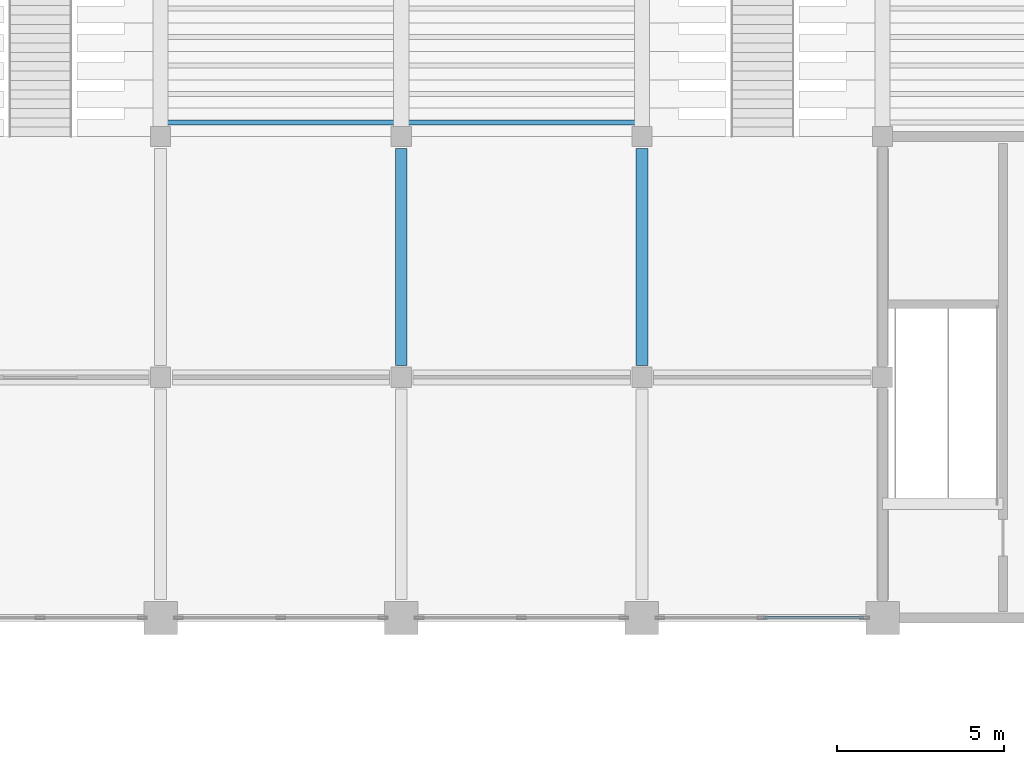
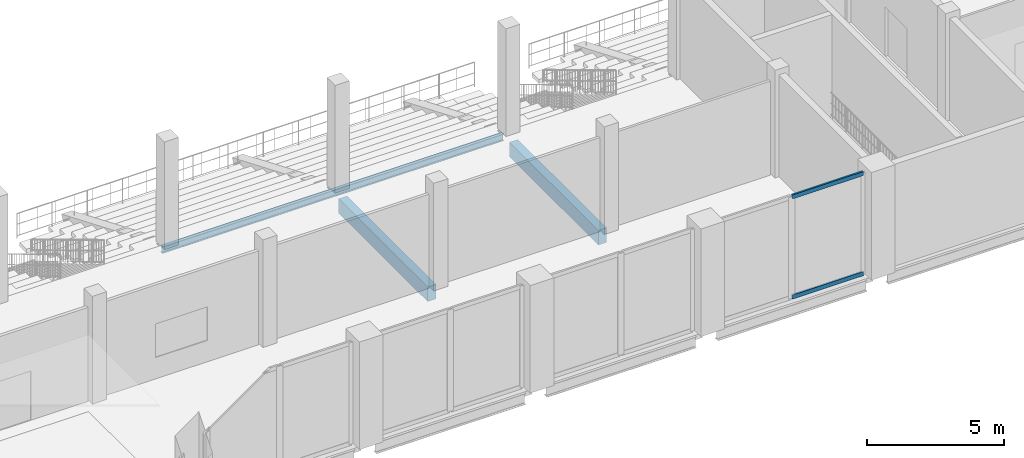
# One storey, part 10 of 99: 3 beams, 2 members, 1 element without a shape of its own.
"""IFC4 building model written with IfcOpenShell, lengths in metres."""

import ifcopenshell
import ifcopenshell.guid

model = None  # the IFC model being written
_history = None  # IfcOwnerHistory: only IFC2X3 demands one
_inside = {}  # id of a spatial element -> (the spatial element, [elements in it])
_under = {}  # id of a project, library or spatial element -> (it, [spatial elements below it])
_declared = {}  # id of a project -> (the project, [libraries it declares])
_typed = {}  # id of a type object -> (the type object, [elements of that type])
_made_of = {}  # id of a material, layer set ... -> (it, [elements and type objects made of it])


def new_model(schema):
    """Start an empty IFC model of exactly this schema.

    Asked for "IFC4X3", IfcOpenShell would pick the latest addendum, in which some entities
    have other attributes; the version numbers below select the first issue.
    IFC2X3 requires an IfcOwnerHistory on every rooted entity: one is made here for all.
    """
    global model, _history
    if schema == "IFC4X3":
        model = ifcopenshell.file(schema_version=(4, 3, 0, 0))
    else:
        model = ifcopenshell.file(schema=schema)
    _inside.clear()
    _under.clear()
    _declared.clear()
    _typed.clear()
    _made_of.clear()
    _history = None
    if model.schema == "IFC2X3":
        org = make("IfcOrganization", Name="unknown")
        user = make(
            "IfcPersonAndOrganization",
            ThePerson=make("IfcPerson", FamilyName="unknown"),
            TheOrganization=org,
        )
        app = make(
            "IfcApplication",
            ApplicationDeveloper=org,
            Version="unknown",
            ApplicationFullName="unknown",
            ApplicationIdentifier="unknown",
        )
        _history = make(
            "IfcOwnerHistory",
            OwningUser=user,
            OwningApplication=app,
            ChangeAction="ADDED",
            CreationDate=0,
        )
    return model


def make(cls, **values):
    """One entity of the class cls with the attributes given. An attribute that is None is left unset."""
    return model.create_entity(
        cls, **{name: value for name, value in values.items() if value is not None}
    )


def rooted(cls, **values):
    """An entity with a GlobalId (a new one), such as an element, a storey or a relation."""
    return make(cls, GlobalId=ifcopenshell.guid.new(), OwnerHistory=_history, **values)


def si_unit(unit_type, name, prefix=None):
    """IfcSIUnit, for example si_unit("LENGTHUNIT", "METRE", prefix="MILLI")."""
    return make("IfcSIUnit", UnitType=unit_type, Prefix=prefix, Name=name)


def assignment(units):
    """IfcUnitAssignment: the units of a project."""
    return None if units is None else make("IfcUnitAssignment", Units=units)


def point(xyz):
    """IfcCartesianPoint."""
    return None if xyz is None else make("IfcCartesianPoint", Coordinates=xyz)


def direction(xyz):
    """IfcDirection."""
    return None if xyz is None else make("IfcDirection", DirectionRatios=xyz)


def frame(location, z_axis=None, x_axis=None):
    """IfcAxis2Placement3D, a coordinate frame: its origin and axes. An axis left out is left unset."""
    return make(
        "IfcAxis2Placement3D",
        Location=point(location),
        Axis=direction(z_axis),
        RefDirection=direction(x_axis),
    )


def frame_2d(location, x_axis=None):
    """IfcAxis2Placement2D, a coordinate frame in the plane: its origin and x axis."""
    return make(
        "IfcAxis2Placement2D", Location=point(location), RefDirection=direction(x_axis)
    )


def origin():
    """The frame at (0, 0, 0) with its axes left unset."""
    return frame((0.0, 0.0, 0.0))


def origin_2d():
    """The frame at (0, 0) in the plane with its x axis left unset."""
    return frame_2d((0.0, 0.0))


def place(relative_to, where):
    """IfcLocalPlacement: puts the frame where relative to a parent placement (None: the world)."""
    return make(
        "IfcLocalPlacement", PlacementRelTo=relative_to, RelativePlacement=where
    )


def context(
    kind, dimensions, precision=None, world=None, true_north=None, identifier=None
):
    """IfcGeometricRepresentationContext, for example the 3D "Model" context."""
    return make(
        "IfcGeometricRepresentationContext",
        ContextIdentifier=identifier,
        ContextType=kind,
        CoordinateSpaceDimension=dimensions,
        Precision=precision,
        WorldCoordinateSystem=world,
        TrueNorth=true_north,
    )


def subcontext(parent, identifier, kind, view, scale=None):
    """IfcGeometricRepresentationSubContext, for example "Body" below "Model"."""
    return make(
        "IfcGeometricRepresentationSubContext",
        ContextIdentifier=identifier,
        ContextType=kind,
        ParentContext=parent,
        TargetScale=scale,
        TargetView=view,
    )


def project(units=None, contexts=None):
    """IfcProject with its units and contexts."""
    return rooted(
        "IfcProject",
        Name="project",
        RepresentationContexts=contexts,
        UnitsInContext=assignment(units),
    )


def spatial(cls, under=None, at=None, **own):
    """A site, building, storey or space (cls), placed at a placement, below another one or the project."""
    s = rooted(cls, ObjectPlacement=at, **own)
    if under is not None:
        _under.setdefault(under.id(), (under, []))[1].append(s)
    return s


def profile(cls, at=None, kind="AREA", **sizes):
    """A parametric profile (cls). Its sizes go by their IFC names, for example OverallWidth=200.0."""
    return make(cls, ProfileType=kind, Position=at, **sizes)


def rectangle(**sizes):
    """IfcRectangleProfileDef."""
    return profile("IfcRectangleProfileDef", **sizes)


def hollow_rectangle(**sizes):
    """IfcRectangleHollowProfileDef."""
    return profile("IfcRectangleHollowProfileDef", **sizes)


def i_section(**sizes):
    """IfcIShapeProfileDef."""
    return profile("IfcIShapeProfileDef", **sizes)


def extrude(swept, where, along, depth):
    """IfcExtrudedAreaSolid: the profile swept, set in the frame where, extruded along a direction by depth."""
    return make(
        "IfcExtrudedAreaSolid",
        SweptArea=swept,
        Position=where,
        ExtrudedDirection=direction(along),
        Depth=depth,
    )


def shape(context_of_items, identifier, shape_type, items):
    """IfcShapeRepresentation: the items that make up one representation, for example the "Body"."""
    return make(
        "IfcShapeRepresentation",
        ContextOfItems=context_of_items,
        RepresentationIdentifier=identifier,
        RepresentationType=shape_type,
        Items=items,
    )


def material(Name=None, Category=None):
    """IfcMaterial."""
    return make("IfcMaterial", Name=Name, Category=Category)


def material_profile(
    of_material, cross_section, Name=None, Category=None, Priority=None
):
    """IfcMaterialProfile: a cross section and its material."""
    return make(
        "IfcMaterialProfile",
        Name=Name,
        Material=of_material,
        Profile=cross_section,
        Priority=Priority,
        Category=Category,
    )


def profile_set(profiles, Name=None, composite=None):
    """IfcMaterialProfileSet."""
    return make(
        "IfcMaterialProfileSet",
        Name=Name,
        MaterialProfiles=profiles,
        CompositeProfile=composite,
    )


def made_of(thing, what):
    """Note that an element or type object is made of a material, layer set ...; save() writes the relation."""
    if what is not None:
        _made_of.setdefault(what.id(), (what, []))[1].append(thing)
    return thing


def type_object(cls, material=None, **own):
    """A type object (cls), such as IfcWallType, which elements share."""
    return made_of(rooted(cls, **own), material)


def element(
    cls,
    number,
    at=None,
    inside=None,
    cuts=None,
    type_object=None,
    material=None,
    context=None,
    identifier="Body",
    shape_type=None,
    held_by="IfcProductDefinitionShape",
    body=None,
    shapes=None,
    **own,
):
    """One element of the class cls, such as IfcWall. Its Tag is "e" and its number.

    at: its placement. inside: the storey or other place that contains it. cuts: it is an
    opening in that element (IfcRelVoidsElement). A single representation is given by context,
    identifier, shape_type and body (its items); several are given by shapes. held_by: the class
    of the entity that holds the representations. save() writes the other relations.
    """
    e = rooted(cls, Tag="e%d" % number, ObjectPlacement=at, **own)
    if body is not None:
        shapes = [shape(context, identifier, shape_type, body)]
    if shapes is not None:
        e.Representation = make(held_by, Representations=shapes)
    if inside is not None:
        _inside.setdefault(inside.id(), (inside, []))[1].append(e)
    if cuts is not None:
        rooted(
            "IfcRelVoidsElement", RelatingBuildingElement=cuts, RelatedOpeningElement=e
        )
    if type_object is not None:
        _typed.setdefault(type_object.id(), (type_object, []))[1].append(e)
    return made_of(e, material)


def aggregate(whole, parts):
    """IfcRelAggregates: a whole, such as a stair, and the parts it consists of."""
    return rooted("IfcRelAggregates", RelatingObject=whole, RelatedObjects=parts)


def save(model, path):
    """Write the relations noted so far, then the file.

    IfcRelAggregates (storeys below a building ...), IfcRelContainedInSpatialStructure (elements
    in a storey), IfcRelDefinesByType, IfcRelAssociatesMaterial and IfcRelDeclares: one each for
    every whole, place, type object, material and project.
    """
    for whole, parts in _under.values():
        aggregate(whole, parts)
    for where, things in _inside.values():
        rooted(
            "IfcRelContainedInSpatialStructure",
            RelatedElements=things,
            RelatingStructure=where,
        )
    for kind, things in _typed.values():
        rooted("IfcRelDefinesByType", RelatedObjects=things, RelatingType=kind)
    for what, things in _made_of.values():
        rooted("IfcRelAssociatesMaterial", RelatedObjects=things, RelatingMaterial=what)
    for by, libraries in _declared.values():
        rooted("IfcRelDeclares", RelatingContext=by, RelatedDefinitions=libraries)
    model.write(path)


model = new_model("IFC4")

# Units and contexts
model_context = context("Model", 3, precision=1e-05, world=origin(), true_north=direction((0.0, 1.0)))
body_context = subcontext(model_context, "Body", "Model", "MODEL_VIEW")
ifc_project = project(units=[si_unit("LENGTHUNIT", "METRE"), si_unit("AREAUNIT", "SQUARE_METRE"), si_unit("VOLUMEUNIT", "CUBIC_METRE"), si_unit("PLANEANGLEUNIT", "RADIAN"), si_unit("MASSUNIT", "GRAM", prefix="KILO")], contexts=[model_context])

# Site, building, storey
site_placement = place(None, origin())
site = spatial("IfcSite", under=ifc_project, at=site_placement, CompositionType="ELEMENT")
building_placement = place(site_placement, origin())
building = spatial("IfcBuilding", under=site, at=building_placement, Name="Vesperath Aquatics Centre", CompositionType="ELEMENT")
storey_placement = place(building_placement, frame((0.0, 0.0, 5.39990234375)))
storey = spatial("IfcBuildingStorey", under=building, at=storey_placement, Name="L01", CompositionType="ELEMENT", Elevation=5.39990234375)

# Beams
ifc_material_1 = material(Name="Concrete C35", Category="concrete")
ifc_material_profile_1 = material_profile(ifc_material_1, rectangle(XDim=0.35009765625, YDim=0.64990234375, at=origin_2d()), Name="RC 350x650")
ifc_profile_set_1 = profile_set([ifc_material_profile_1], Name="Concrete C35")
beam_type_1 = type_object("IfcBeamType", Name="BM-G05", PredefinedType="BEAM", material=ifc_profile_set_1)
for number, where, z_axis, x_axis, name in (
    (1, (36.0, 21.949951171875, -0.5849609375), (0.0, 1.0, 0.0), (-1.0, 0.0, 0.0), "Floor Girder B05 L01 6 D-E"),
    (2, (43.199951171875, 21.949951171875, -0.5849609375), (0.0, 1.0, 0.0), (-1.0, 0.0, 0.0), "Floor Girder B05 L01 7 D-E"),
):
    element("IfcBeam", number, at=place(storey_placement, frame(where, z_axis=z_axis, x_axis=x_axis)), inside=storey, type_object=beam_type_1, Name=name, PredefinedType="BEAM", context=body_context, shape_type="SweptSolid", body=[
        extrude(rectangle(XDim=0.35009765625, YDim=0.64990234375, at=origin_2d()), origin(), (0.0, 0.0, 1.0), 6.5),
    ])
ifc_material_2 = material(Name="Steel Q355C", Category="steel")
ifc_material_profile_2 = material_profile(ifc_material_2, i_section(OverallWidth=0.14990234375, OverallDepth=0.300048828125, WebThickness=0.006591796875, FlangeThickness=0.009033203125, FilletRadius=0.012939453125, at=origin_2d()), Name="HN 300x150x6.5x9")
ifc_profile_set_2 = profile_set([ifc_material_profile_2], Name="Steel Q355C")
beam_type_2 = type_object("IfcBeamType", Name="BM-J06", PredefinedType="JOIST", material=ifc_profile_set_2)
beam_placement = place(storey_placement, frame((28.800048828125, 29.22509765625, -0.52978515625), z_axis=(1.0, 0.0, 0.0), x_axis=(0.0, 1.0, 0.0)))
element("IfcBeam", 3, at=beam_placement, inside=storey, type_object=beam_type_2, Name="Lower Tier Bearer Beam J06 S-R1-B2M", PredefinedType="JOIST", context=body_context, shape_type="SweptSolid", body=[
    extrude(i_section(OverallWidth=0.14990234375, OverallDepth=0.300048828125, WebThickness=0.006591796875, FlangeThickness=0.009033203125, FilletRadius=0.012939453125, at=origin_2d()), origin(), (0.0, 0.0, 1.0), 14.39990234375),
])

# Curtain wall, members
ifc_material_3 = material(Name="Thermally broken anodised bronze aluminium curtain wall", Category="aluminium")
curtain_wall_type = type_object("IfcCurtainWallType", Name="CW-02", PredefinedType="NOTDEFINED", material=ifc_material_3)
curtain_wall_placement = place(storey_placement, origin())
curtain_wall = element("IfcCurtainWall", 4, at=curtain_wall_placement, inside=storey, type_object=curtain_wall_type, Name="Facade Curtain Wall CW02 L01_S_06_02", PredefinedType="NOTDEFINED")
ifc_material_4 = material(Name="Thermally broken anodised aluminium", Category="aluminium")
ifc_material_profile_3 = material_profile(ifc_material_4, hollow_rectangle(XDim=0.074951171875, YDim=0.179931640625, WallThickness=0.0048828125, at=origin_2d()), Name="CWT 75x180x5")
ifc_profile_set_3 = profile_set([ifc_material_profile_3], Name="Thermally broken anodised aluminium")
member_type = type_object("IfcMemberType", Name="MB-CWT1", PredefinedType="USERDEFINED", material=ifc_profile_set_3)
member_1_placement = place(storey_placement, frame((46.83740234375, 14.39990234375, 0.03759765625), z_axis=(1.0, 0.0, 0.0), x_axis=(0.0, 1.0, 0.0)))
member_1 = element("IfcMember", 5, at=member_1_placement, type_object=member_type, Name="CW02 transom 2.1", ObjectType="TRANSOM", PredefinedType="USERDEFINED", context=body_context, shape_type="SweptSolid", body=[
    extrude(hollow_rectangle(XDim=0.074951171875, YDim=0.179931640625, WallThickness=0.0048828125, at=origin_2d()), origin(), (0.0, 0.0, 1.0), 2.987548828125),
])
member_2_placement = place(storey_placement, frame((46.83740234375, 14.39990234375, 4.502685546875), z_axis=(1.0, 0.0, 0.0), x_axis=(0.0, 1.0, 0.0)))
member_2 = element("IfcMember", 6, at=member_2_placement, type_object=member_type, Name="CW02 transom 2.2", ObjectType="TRANSOM", PredefinedType="USERDEFINED", context=body_context, shape_type="SweptSolid", body=[
    extrude(hollow_rectangle(XDim=0.074951171875, YDim=0.179931640625, WallThickness=0.0048828125, at=origin_2d()), origin(), (0.0, 0.0, 1.0), 2.987548828125),
])
aggregate(curtain_wall, [member_1, member_2])

save(model, "model.ifc")
